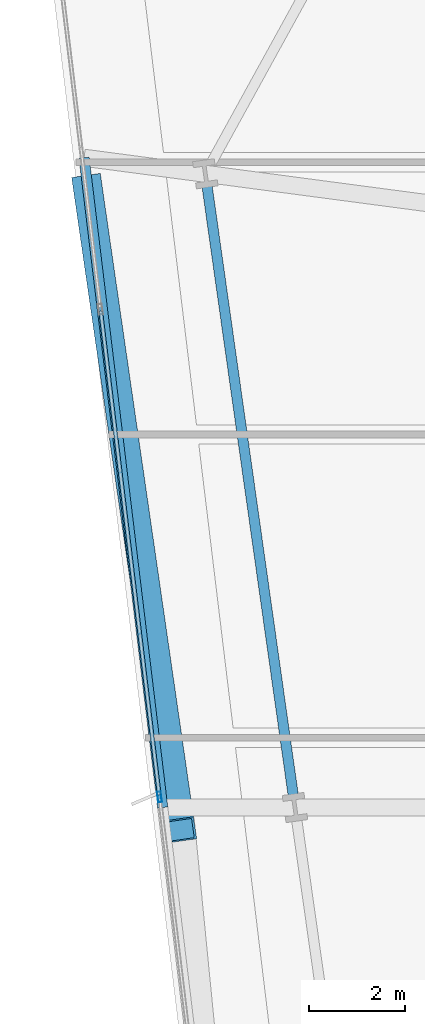
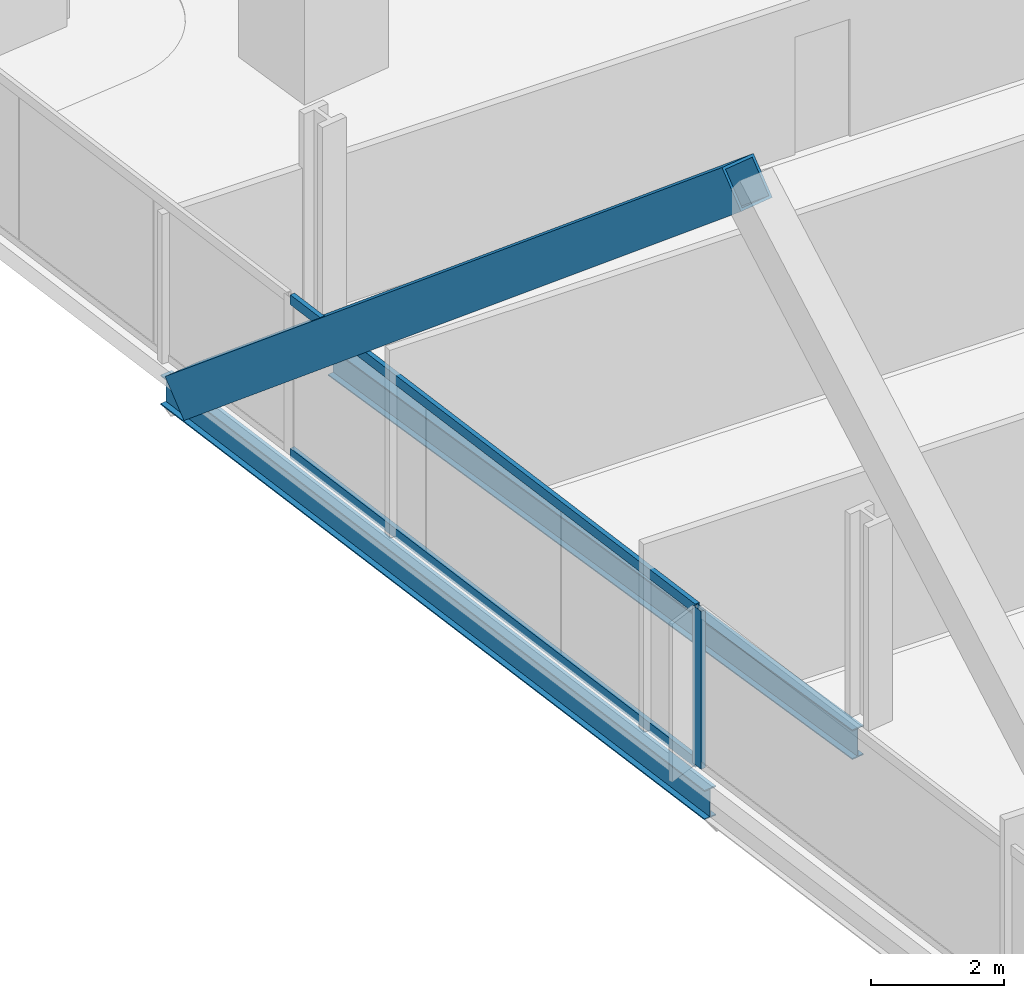
# One storey, part 7 of 33: 4 members, 2 beams, 1 element without a shape of its own.
"""IFC4 building model written with IfcOpenShell, lengths in metres."""

import ifcopenshell
import ifcopenshell.guid

model = None  # the IFC model being written
_history = None  # IfcOwnerHistory: only IFC2X3 demands one
_inside = {}  # id of a spatial element -> (the spatial element, [elements in it])
_under = {}  # id of a project, library or spatial element -> (it, [spatial elements below it])
_declared = {}  # id of a project -> (the project, [libraries it declares])
_typed = {}  # id of a type object -> (the type object, [elements of that type])
_made_of = {}  # id of a material, layer set ... -> (it, [elements and type objects made of it])


def new_model(schema):
    """Start an empty IFC model of exactly this schema.

    Asked for "IFC4X3", IfcOpenShell would pick the latest addendum, in which some entities
    have other attributes; the version numbers below select the first issue.
    IFC2X3 requires an IfcOwnerHistory on every rooted entity: one is made here for all.
    """
    global model, _history
    if schema == "IFC4X3":
        model = ifcopenshell.file(schema_version=(4, 3, 0, 0))
    else:
        model = ifcopenshell.file(schema=schema)
    _inside.clear()
    _under.clear()
    _declared.clear()
    _typed.clear()
    _made_of.clear()
    _history = None
    if model.schema == "IFC2X3":
        org = make("IfcOrganization", Name="unknown")
        user = make(
            "IfcPersonAndOrganization",
            ThePerson=make("IfcPerson", FamilyName="unknown"),
            TheOrganization=org,
        )
        app = make(
            "IfcApplication",
            ApplicationDeveloper=org,
            Version="unknown",
            ApplicationFullName="unknown",
            ApplicationIdentifier="unknown",
        )
        _history = make(
            "IfcOwnerHistory",
            OwningUser=user,
            OwningApplication=app,
            ChangeAction="ADDED",
            CreationDate=0,
        )
    return model


def make(cls, **values):
    """One entity of the class cls with the attributes given. An attribute that is None is left unset."""
    return model.create_entity(
        cls, **{name: value for name, value in values.items() if value is not None}
    )


def rooted(cls, **values):
    """An entity with a GlobalId (a new one), such as an element, a storey or a relation."""
    return make(cls, GlobalId=ifcopenshell.guid.new(), OwnerHistory=_history, **values)


def si_unit(unit_type, name, prefix=None):
    """IfcSIUnit, for example si_unit("LENGTHUNIT", "METRE", prefix="MILLI")."""
    return make("IfcSIUnit", UnitType=unit_type, Prefix=prefix, Name=name)


def assignment(units):
    """IfcUnitAssignment: the units of a project."""
    return None if units is None else make("IfcUnitAssignment", Units=units)


def point(xyz):
    """IfcCartesianPoint."""
    return None if xyz is None else make("IfcCartesianPoint", Coordinates=xyz)


def direction(xyz):
    """IfcDirection."""
    return None if xyz is None else make("IfcDirection", DirectionRatios=xyz)


def frame(location, z_axis=None, x_axis=None):
    """IfcAxis2Placement3D, a coordinate frame: its origin and axes. An axis left out is left unset."""
    return make(
        "IfcAxis2Placement3D",
        Location=point(location),
        Axis=direction(z_axis),
        RefDirection=direction(x_axis),
    )


def frame_2d(location, x_axis=None):
    """IfcAxis2Placement2D, a coordinate frame in the plane: its origin and x axis."""
    return make(
        "IfcAxis2Placement2D", Location=point(location), RefDirection=direction(x_axis)
    )


def origin():
    """The frame at (0, 0, 0) with its axes left unset."""
    return frame((0.0, 0.0, 0.0))


def origin_2d():
    """The frame at (0, 0) in the plane with its x axis left unset."""
    return frame_2d((0.0, 0.0))


def place(relative_to, where):
    """IfcLocalPlacement: puts the frame where relative to a parent placement (None: the world)."""
    return make(
        "IfcLocalPlacement", PlacementRelTo=relative_to, RelativePlacement=where
    )


def context(
    kind, dimensions, precision=None, world=None, true_north=None, identifier=None
):
    """IfcGeometricRepresentationContext, for example the 3D "Model" context."""
    return make(
        "IfcGeometricRepresentationContext",
        ContextIdentifier=identifier,
        ContextType=kind,
        CoordinateSpaceDimension=dimensions,
        Precision=precision,
        WorldCoordinateSystem=world,
        TrueNorth=true_north,
    )


def subcontext(parent, identifier, kind, view, scale=None):
    """IfcGeometricRepresentationSubContext, for example "Body" below "Model"."""
    return make(
        "IfcGeometricRepresentationSubContext",
        ContextIdentifier=identifier,
        ContextType=kind,
        ParentContext=parent,
        TargetScale=scale,
        TargetView=view,
    )


def project(units=None, contexts=None):
    """IfcProject with its units and contexts."""
    return rooted(
        "IfcProject",
        Name="project",
        RepresentationContexts=contexts,
        UnitsInContext=assignment(units),
    )


def spatial(cls, under=None, at=None, **own):
    """A site, building, storey or space (cls), placed at a placement, below another one or the project."""
    s = rooted(cls, ObjectPlacement=at, **own)
    if under is not None:
        _under.setdefault(under.id(), (under, []))[1].append(s)
    return s


def profile(cls, at=None, kind="AREA", **sizes):
    """A parametric profile (cls). Its sizes go by their IFC names, for example OverallWidth=200.0."""
    return make(cls, ProfileType=kind, Position=at, **sizes)


def hollow_rectangle(**sizes):
    """IfcRectangleHollowProfileDef."""
    return profile("IfcRectangleHollowProfileDef", **sizes)


def i_section(**sizes):
    """IfcIShapeProfileDef."""
    return profile("IfcIShapeProfileDef", **sizes)


def extrude(swept, where, along, depth):
    """IfcExtrudedAreaSolid: the profile swept, set in the frame where, extruded along a direction by depth."""
    return make(
        "IfcExtrudedAreaSolid",
        SweptArea=swept,
        Position=where,
        ExtrudedDirection=direction(along),
        Depth=depth,
    )


def shape(context_of_items, identifier, shape_type, items):
    """IfcShapeRepresentation: the items that make up one representation, for example the "Body"."""
    return make(
        "IfcShapeRepresentation",
        ContextOfItems=context_of_items,
        RepresentationIdentifier=identifier,
        RepresentationType=shape_type,
        Items=items,
    )


def material(Name=None, Category=None):
    """IfcMaterial."""
    return make("IfcMaterial", Name=Name, Category=Category)


def material_profile(
    of_material, cross_section, Name=None, Category=None, Priority=None
):
    """IfcMaterialProfile: a cross section and its material."""
    return make(
        "IfcMaterialProfile",
        Name=Name,
        Material=of_material,
        Profile=cross_section,
        Priority=Priority,
        Category=Category,
    )


def profile_set(profiles, Name=None, composite=None):
    """IfcMaterialProfileSet."""
    return make(
        "IfcMaterialProfileSet",
        Name=Name,
        MaterialProfiles=profiles,
        CompositeProfile=composite,
    )


def made_of(thing, what):
    """Note that an element or type object is made of a material, layer set ...; save() writes the relation."""
    if what is not None:
        _made_of.setdefault(what.id(), (what, []))[1].append(thing)
    return thing


def type_object(cls, material=None, **own):
    """A type object (cls), such as IfcWallType, which elements share."""
    return made_of(rooted(cls, **own), material)


def element(
    cls,
    number,
    at=None,
    inside=None,
    cuts=None,
    type_object=None,
    material=None,
    context=None,
    identifier="Body",
    shape_type=None,
    held_by="IfcProductDefinitionShape",
    body=None,
    shapes=None,
    **own,
):
    """One element of the class cls, such as IfcWall. Its Tag is "e" and its number.

    at: its placement. inside: the storey or other place that contains it. cuts: it is an
    opening in that element (IfcRelVoidsElement). A single representation is given by context,
    identifier, shape_type and body (its items); several are given by shapes. held_by: the class
    of the entity that holds the representations. save() writes the other relations.
    """
    e = rooted(cls, Tag="e%d" % number, ObjectPlacement=at, **own)
    if body is not None:
        shapes = [shape(context, identifier, shape_type, body)]
    if shapes is not None:
        e.Representation = make(held_by, Representations=shapes)
    if inside is not None:
        _inside.setdefault(inside.id(), (inside, []))[1].append(e)
    if cuts is not None:
        rooted(
            "IfcRelVoidsElement", RelatingBuildingElement=cuts, RelatedOpeningElement=e
        )
    if type_object is not None:
        _typed.setdefault(type_object.id(), (type_object, []))[1].append(e)
    return made_of(e, material)


def aggregate(whole, parts):
    """IfcRelAggregates: a whole, such as a stair, and the parts it consists of."""
    return rooted("IfcRelAggregates", RelatingObject=whole, RelatedObjects=parts)


def save(model, path):
    """Write the relations noted so far, then the file.

    IfcRelAggregates (storeys below a building ...), IfcRelContainedInSpatialStructure (elements
    in a storey), IfcRelDefinesByType, IfcRelAssociatesMaterial and IfcRelDeclares: one each for
    every whole, place, type object, material and project.
    """
    for whole, parts in _under.values():
        aggregate(whole, parts)
    for where, things in _inside.values():
        rooted(
            "IfcRelContainedInSpatialStructure",
            RelatedElements=things,
            RelatingStructure=where,
        )
    for kind, things in _typed.values():
        rooted("IfcRelDefinesByType", RelatedObjects=things, RelatingType=kind)
    for what, things in _made_of.values():
        rooted("IfcRelAssociatesMaterial", RelatedObjects=things, RelatingMaterial=what)
    for by, libraries in _declared.values():
        rooted("IfcRelDeclares", RelatingContext=by, RelatedDefinitions=libraries)
    model.write(path)


model = new_model("IFC4")

# Units and contexts
model_context = context("Model", 3, precision=1e-05, world=origin(), true_north=direction((0.0, 1.0)))
body_context = subcontext(model_context, "Body", "Model", "MODEL_VIEW")
ifc_project = project(units=[si_unit("LENGTHUNIT", "METRE"), si_unit("AREAUNIT", "SQUARE_METRE"), si_unit("VOLUMEUNIT", "CUBIC_METRE"), si_unit("PLANEANGLEUNIT", "RADIAN"), si_unit("MASSUNIT", "GRAM", prefix="KILO")], contexts=[model_context])

# Site, building, storey
site_placement = place(None, origin())
site = spatial("IfcSite", under=ifc_project, at=site_placement, CompositionType="ELEMENT")
building_placement = place(site_placement, origin())
building = spatial("IfcBuilding", under=site, at=building_placement, Name="Haldenkirk Collegiate Tower", CompositionType="ELEMENT")
storey_placement = place(building_placement, frame((0.0, 0.0, 51.449951171875)))
storey = spatial("IfcBuildingStorey", under=building, at=storey_placement, Name="L11", CompositionType="ELEMENT", Elevation=51.449951171875)

# Beams
ifc_material_1 = material(Name="Steel ASTM A992 Grade 50", Category="steel")
ifc_material_profile_1 = material_profile(ifc_material_1, i_section(OverallWidth=0.2119140625, OverallDepth=0.5439453125, WebThickness=0.01318359375, FlangeThickness=0.021240234375, at=origin_2d()), Name="W21X83")
ifc_profile_set_1 = profile_set([ifc_material_profile_1], Name="Steel ASTM A992 Grade 50")
beam_type = type_object("IfcBeamType", Name="BM-SPANDREL-W21X83", PredefinedType="SPANDREL", material=ifc_profile_set_1)
beam_1_placement = place(storey_placement, frame((10.30322265625, 35.951171875, -0.58203125), z_axis=(0.140049989419, -0.990144434143, 0.0), x_axis=(0.990144434143, 0.140049989419, 0.0)))
element("IfcBeam", 1, at=beam_1_placement, inside=storey, type_object=beam_type, Name="L11 perimeter spandrel beam 14", PredefinedType="SPANDREL", context=body_context, shape_type="SweptSolid", body=[
    extrude(i_section(OverallWidth=0.2119140625, OverallDepth=0.5439453125, WebThickness=0.01318359375, FlangeThickness=0.021240234375, at=origin_2d()), origin(), (0.0, 0.0, 1.0), 12.76220703125),
])
beam_2_placement = place(storey_placement, frame((7.748291015625, 36.5458984375, -0.58203125), z_axis=(0.120153801163, -0.992755289115, 0.0), x_axis=(0.992755289115, 0.120153801163, 0.0)))
element("IfcBeam", 2, at=beam_2_placement, inside=storey, type_object=beam_type, Name="L11 outer facade edge beam 4A", PredefinedType="SPANDREL", context=body_context, shape_type="SweptSolid", body=[
    extrude(i_section(OverallWidth=0.2119140625, OverallDepth=0.5439453125, WebThickness=0.01318359375, FlangeThickness=0.021240234375, at=origin_2d()), origin(), (0.0, 0.0, 1.0), 13.59130859375),
])

# Curtain wall, members
ifc_material_2 = material(Name="Anodised architectural bronze aluminium", Category="aluminium")
curtain_wall_type = type_object("IfcCurtainWallType", Name="CW-SYS1-CONVEX-LOW", PredefinedType="USERDEFINED", material=ifc_material_2)
curtain_wall_placement = place(storey_placement, origin())
curtain_wall = element("IfcCurtainWall", 3, at=curtain_wall_placement, inside=storey, type_object=curtain_wall_type, Name="L11 Lower tower convex bronze-framed unitised curtain wall", ObjectType="UNITISED CURTAIN WALL", PredefinedType="USERDEFINED")
ifc_material_profile_2 = material_profile(ifc_material_2, hollow_rectangle(XDim=0.080078125, YDim=0.219970703125, WallThickness=0.0048828125, at=origin_2d()), Name="CW-MUL-1A")
ifc_profile_set_2 = profile_set([ifc_material_profile_2], Name="Anodised architectural bronze aluminium")
member_type_1 = type_object("IfcMemberType", Name="CW-MUL-1A", PredefinedType="MULLION", material=ifc_profile_set_2)
member_1_placement = place(storey_placement, frame((9.314208984375, 23.2744140625, 0.0), z_axis=(0.0, 0.0, 1.0), x_axis=(-0.992757257091, -0.120137539898, 0.0)))
member_1 = element("IfcMember", 4, at=member_1_placement, type_object=member_type_1, Name="CW-1A mullion 3", PredefinedType="MULLION", context=body_context, shape_type="SweptSolid", body=[
    extrude(hollow_rectangle(XDim=0.080078125, YDim=0.219970703125, WallThickness=0.0048828125, at=origin_2d()), origin(), (0.0, 0.0, 1.0), 2.89111328125),
])
ifc_material_profile_3 = material_profile(ifc_material_2, hollow_rectangle(XDim=0.080078125, YDim=0.179931640625, WallThickness=0.0048828125, at=origin_2d()), Name="CW-TRN-1A")
ifc_profile_set_3 = profile_set([ifc_material_profile_3], Name="Anodised architectural bronze aluminium")
member_type_2 = type_object("IfcMemberType", Name="CW-TRN-1A", PredefinedType="USERDEFINED", material=ifc_profile_set_3)
member_2_placement = place(storey_placement, frame((9.309326171875, 23.31396484375, 0.0400390625), z_axis=(-0.120141161999, 0.99275681876, 0.0), x_axis=(-0.99275681876, -0.120141161999, 0.0)))
member_2 = element("IfcMember", 5, at=member_2_placement, type_object=member_type_2, Name="CW-1A transom 3.1", ObjectType="TRANSOM", PredefinedType="USERDEFINED", context=body_context, shape_type="SweptSolid", body=[
    extrude(hollow_rectangle(XDim=0.080078125, YDim=0.179931640625, WallThickness=0.0048828125, at=origin_2d()), origin(), (0.0, 0.0, 1.0), 10.119873046875),
])
member_3_placement = place(storey_placement, frame((9.309326171875, 23.31396484375, 2.85107421875), z_axis=(-0.120141161999, 0.99275681876, 0.0), x_axis=(-0.99275681876, -0.120141161999, 0.0)))
member_3 = element("IfcMember", 6, at=member_3_placement, type_object=member_type_2, Name="CW-1A transom 3.2", ObjectType="TRANSOM", PredefinedType="USERDEFINED", context=body_context, shape_type="SweptSolid", body=[
    extrude(hollow_rectangle(XDim=0.080078125, YDim=0.179931640625, WallThickness=0.0048828125, at=origin_2d()), origin(), (0.0, 0.0, 1.0), 10.119873046875),
])
aggregate(curtain_wall, [member_1, member_2, member_3])

# Member
ifc_material_3 = material(Name="Steel ASTM A572 Grade 50", Category="steel")
ifc_material_profile_4 = material_profile(ifc_material_3, hollow_rectangle(XDim=0.60009765625, YDim=0.719970703125, WallThickness=0.044921875, at=origin_2d()), Name="BOX720X600X45")
ifc_profile_set_4 = profile_set([ifc_material_profile_4], Name="Steel ASTM A572 Grade 50")
member_type_3 = type_object("IfcMemberType", Name="MBR-MEGABRACE-BOX720X600X45", PredefinedType="BRACE", material=ifc_profile_set_4)
member_4_placement = place(storey_placement, frame((7.820556640625, 35.9501953125, -0.320068359375), z_axis=(0.110119709041, -0.760265026298, 0.640211480269), x_axis=(0.989672352739, 0.143347948097, 0.0)))
element("IfcMember", 7, at=member_4_placement, inside=storey, type_object=member_type_3, Name="Perimeter Mega Brace Z1 L11-L13 WL", PredefinedType="BRACE", context=body_context, shape_type="SweptSolid", body=[
    extrude(hollow_rectangle(XDim=0.60009765625, YDim=0.719970703125, WallThickness=0.044921875, at=origin_2d()), origin(), (0.0, 0.0, 1.0), 17.572265625),
])

save(model, "model.ifc")
